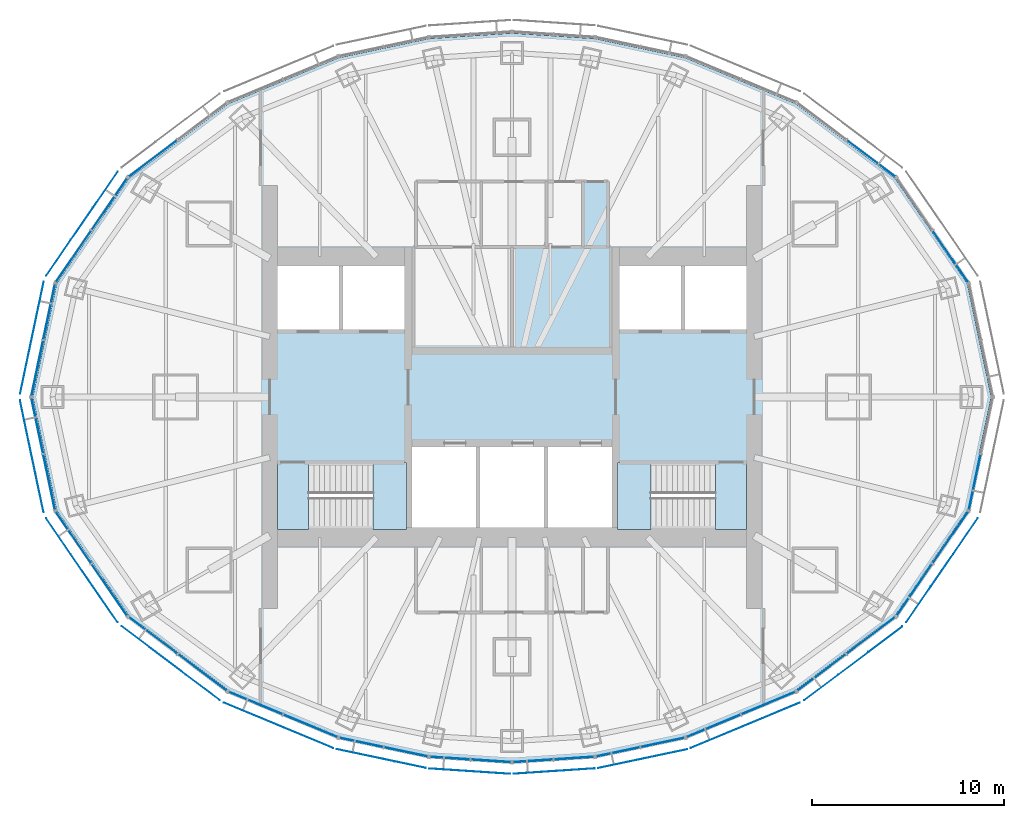
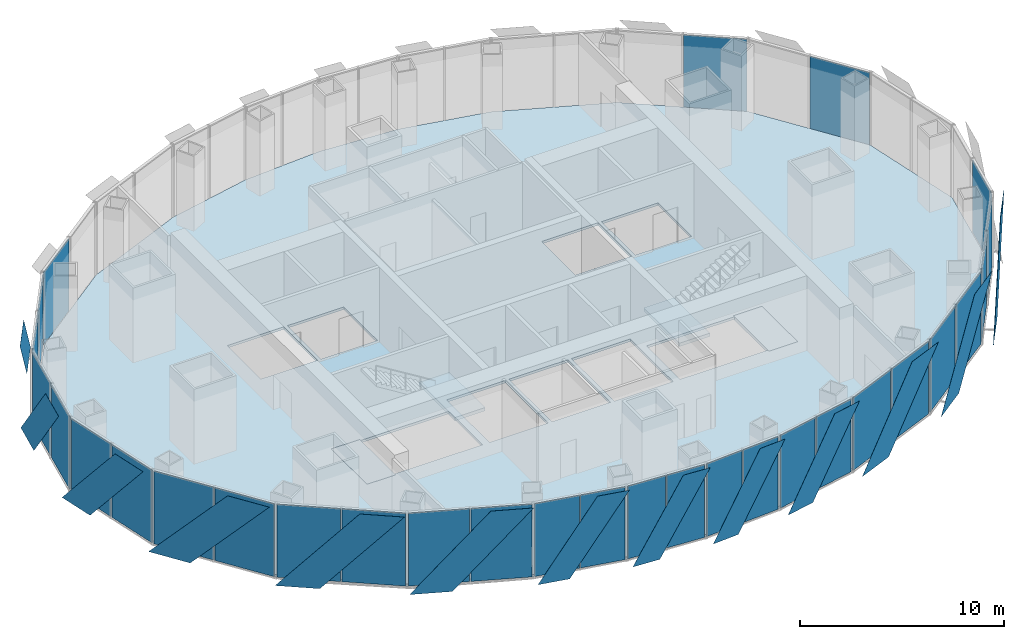
# One storey, part 9 of 15: 43 plates, 5 slabs, 19 elements without a shape of their own.
"""IFC4 building model written with IfcOpenShell, lengths in metres."""

from ifc_helpers import new_model, si_unit, direction, frame, origin, origin_2d, place, context, subcontext, project, spatial, polyline, rectangle, outline, extrude, material, layer, layer_set, type_object, element, aggregate, save


model = new_model("IFC4")

# Units and contexts
model_context = context("Model", 3, precision=1e-05, world=origin(), true_north=direction((0.0, 1.0)))
body_context = subcontext(model_context, "Body", "Model", "MODEL_VIEW")
ifc_project = project(units=[si_unit("LENGTHUNIT", "METRE"), si_unit("AREAUNIT", "SQUARE_METRE"), si_unit("VOLUMEUNIT", "CUBIC_METRE"), si_unit("PLANEANGLEUNIT", "RADIAN"), si_unit("MASSUNIT", "GRAM", prefix="KILO")], contexts=[model_context])

# Site, building, storey
site_placement = place(None, origin())
site = spatial("IfcSite", under=ifc_project, at=site_placement, CompositionType="ELEMENT")
building_placement = place(site_placement, origin())
building = spatial("IfcBuilding", under=site, at=building_placement, Name="Lantaw Convention Tower", CompositionType="ELEMENT")
storey_placement = place(building_placement, frame((0.0, 0.0, 274.89990234375)))
storey = spatial("IfcBuildingStorey", under=building, at=storey_placement, Name="L64", CompositionType="ELEMENT", Elevation=274.89990234375)

# Curtain wall, plate
ifc_material_1 = material(Name="Aluminium framed curtain wall", Category="aluminium")
curtain_wall_type = type_object("IfcCurtainWallType", Name="Executive floors curtain wall, pale aluminium", PredefinedType="USERDEFINED", material=ifc_material_1)
curtain_wall_1_placement = place(storey_placement, origin())
curtain_wall_1 = element("IfcCurtainWall", 1, at=curtain_wall_1_placement, inside=storey, type_object=curtain_wall_type, Name="Executive floors curtain wall, pale aluminium L64", ObjectType="UNITISED CURTAIN WALL", PredefinedType="USERDEFINED")
ifc_material_2 = material(Name="Clear insulating glass", Category="glass")
ifc_layer_1 = layer(ifc_material_2, 0.030029296875)
ifc_layer_set_1 = layer_set([ifc_layer_1], Name="CW-T panel 30")
plate_type_1 = type_object("IfcPlateType", Name="CW-T panel 30", PredefinedType="CURTAIN_PANEL", material=ifc_layer_set_1)
plate_1_placement = place(storey_placement, frame((22.80126953125, 7.31103515625, -0.080078125), z_axis=(0.0, 0.0, 1.0), x_axis=(-0.565934832921, 0.824449977189, 0.0)))
plate_1 = element("IfcPlate", 2, at=plate_1_placement, type_object=plate_type_1, Name="CW-T panel 1.1", PredefinedType="CURTAIN_PANEL", context=body_context, shape_type="SweptSolid", body=[
    extrude(rectangle(XDim=3.22802734375, YDim=0.030029296875, at=origin_2d()), origin(), (0.0, 0.0, 1.0), 4.360107421875),
])
aggregate(curtain_wall_1, [plate_1])

curtain_wall_2_placement = place(storey_placement, origin())
curtain_wall_2 = element("IfcCurtainWall", 3, at=curtain_wall_2_placement, inside=storey, type_object=curtain_wall_type, Name="Executive floors curtain wall, pale aluminium L64", ObjectType="UNITISED CURTAIN WALL", PredefinedType="USERDEFINED")
plate_2_placement = place(storey_placement, frame((18.67041015625, 12.403564453125, -0.080078125), z_axis=(0.0, 0.0, 1.0), x_axis=(-0.799517528732, 0.600642756762, 0.0)))
plate_2 = element("IfcPlate", 4, at=plate_2_placement, type_object=plate_type_1, Name="CW-T panel 1.1", PredefinedType="CURTAIN_PANEL", context=body_context, shape_type="SweptSolid", body=[
    extrude(rectangle(XDim=3.140869140625, YDim=0.030029296875, at=origin_2d()), origin(), (0.0, 0.0, 1.0), 4.360107421875),
])
aggregate(curtain_wall_2, [plate_2])

curtain_wall_3_placement = place(storey_placement, origin())
curtain_wall_3 = element("IfcCurtainWall", 5, at=curtain_wall_3_placement, inside=storey, type_object=curtain_wall_type, Name="Executive floors curtain wall, pale aluminium L64", ObjectType="UNITISED CURTAIN WALL", PredefinedType="USERDEFINED")
plate_3_placement = place(storey_placement, frame((-18.67041015625, 12.403564453125, -0.080078125), z_axis=(0.0, 0.0, 1.0), x_axis=(-0.799517528732, -0.600642756762, 0.0)))
plate_3 = element("IfcPlate", 6, at=plate_3_placement, type_object=plate_type_1, Name="CW-T panel 2.1", PredefinedType="CURTAIN_PANEL", context=body_context, shape_type="SweptSolid", body=[
    extrude(rectangle(XDim=3.140869140625, YDim=0.030029296875, at=origin_2d()), origin(), (0.0, 0.0, 1.0), 4.360107421875),
])
aggregate(curtain_wall_3, [plate_3])

# Curtain wall, plates
curtain_wall_4_placement = place(storey_placement, origin())
curtain_wall_4 = element("IfcCurtainWall", 7, at=curtain_wall_4_placement, inside=storey, type_object=curtain_wall_type, Name="Executive floors curtain wall, pale aluminium L64", ObjectType="UNITISED CURTAIN WALL", PredefinedType="USERDEFINED")
plate_4_placement = place(storey_placement, frame((-20.93505859375, 10.030029296875, -0.080078125), z_axis=(0.0, 0.0, 1.0), x_axis=(-0.565934832921, -0.824449977189, 0.0)))
plate_4 = element("IfcPlate", 8, at=plate_4_placement, type_object=plate_type_1, Name="CW-T panel 1.1", PredefinedType="CURTAIN_PANEL", context=body_context, shape_type="SweptSolid", body=[
    extrude(rectangle(XDim=3.22802734375, YDim=0.030029296875, at=origin_2d()), origin(), (0.0, 0.0, 1.0), 4.360107421875),
])
plate_5_placement = place(storey_placement, frame((-22.80126953125, 7.31103515625, -0.080078125), z_axis=(0.0, 0.0, 1.0), x_axis=(-0.565934832921, -0.824449977189, 0.0)))
plate_5 = element("IfcPlate", 9, at=plate_5_placement, type_object=plate_type_1, Name="CW-T panel 2.1", PredefinedType="CURTAIN_PANEL", context=body_context, shape_type="SweptSolid", body=[
    extrude(rectangle(XDim=3.22802734375, YDim=0.030029296875, at=origin_2d()), origin(), (0.0, 0.0, 1.0), 4.360107421875),
])
aggregate(curtain_wall_4, [plate_4, plate_5])

curtain_wall_5_placement = place(storey_placement, origin())
curtain_wall_5 = element("IfcCurtainWall", 10, at=curtain_wall_5_placement, inside=storey, type_object=curtain_wall_type, Name="Executive floors curtain wall, pale aluminium L64", ObjectType="UNITISED CURTAIN WALL", PredefinedType="USERDEFINED")
plate_6_placement = place(storey_placement, frame((-24.0693359375, 4.4248046875, -0.080078125), z_axis=(0.0, 0.0, 1.0), x_axis=(-0.205814054946, -0.978591117263, 0.0)))
plate_6 = element("IfcPlate", 11, at=plate_6_placement, type_object=plate_type_1, Name="CW-T panel 1.1", PredefinedType="CURTAIN_PANEL", context=body_context, shape_type="SweptSolid", body=[
    extrude(rectangle(XDim=2.921142578125, YDim=0.030029296875, at=origin_2d()), origin(), (0.0, 0.0, 1.0), 4.360107421875),
])
plate_7_placement = place(storey_placement, frame((-24.68505859375, 1.497802734375, -0.080078125), z_axis=(0.0, 0.0, 1.0), x_axis=(-0.205814054946, -0.978591117263, 0.0)))
plate_7 = element("IfcPlate", 12, at=plate_7_placement, type_object=plate_type_1, Name="CW-T panel 2.1", PredefinedType="CURTAIN_PANEL", context=body_context, shape_type="SweptSolid", body=[
    extrude(rectangle(XDim=2.921142578125, YDim=0.030029296875, at=origin_2d()), origin(), (0.0, 0.0, 1.0), 4.360107421875),
])
aggregate(curtain_wall_5, [plate_6, plate_7])

curtain_wall_6_placement = place(storey_placement, origin())
curtain_wall_6 = element("IfcCurtainWall", 13, at=curtain_wall_6_placement, inside=storey, type_object=curtain_wall_type, Name="Executive floors curtain wall, pale aluminium L64", ObjectType="UNITISED CURTAIN WALL", PredefinedType="USERDEFINED")
plate_8_placement = place(storey_placement, frame((-24.68505859375, -1.497802734375, -0.080078125), z_axis=(0.0, 0.0, 1.0), x_axis=(0.205814054946, -0.978591117263, 0.0)))
plate_8 = element("IfcPlate", 14, at=plate_8_placement, type_object=plate_type_1, Name="CW-T panel 1.1", PredefinedType="CURTAIN_PANEL", context=body_context, shape_type="SweptSolid", body=[
    extrude(rectangle(XDim=2.921142578125, YDim=0.030029296875, at=origin_2d()), origin(), (0.0, 0.0, 1.0), 4.360107421875),
])
plate_9_placement = place(storey_placement, frame((-24.0693359375, -4.4248046875, -0.080078125), z_axis=(0.0, 0.0, 1.0), x_axis=(0.205814054946, -0.978591117263, 0.0)))
plate_9 = element("IfcPlate", 15, at=plate_9_placement, type_object=plate_type_1, Name="CW-T panel 2.1", PredefinedType="CURTAIN_PANEL", context=body_context, shape_type="SweptSolid", body=[
    extrude(rectangle(XDim=2.921142578125, YDim=0.030029296875, at=origin_2d()), origin(), (0.0, 0.0, 1.0), 4.360107421875),
])
aggregate(curtain_wall_6, [plate_8, plate_9])

curtain_wall_7_placement = place(storey_placement, origin())
curtain_wall_7 = element("IfcCurtainWall", 16, at=curtain_wall_7_placement, inside=storey, type_object=curtain_wall_type, Name="Executive floors curtain wall, pale aluminium L64", ObjectType="UNITISED CURTAIN WALL", PredefinedType="USERDEFINED")
plate_10_placement = place(storey_placement, frame((-22.80126953125, -7.31103515625, -0.080078125), z_axis=(0.0, 0.0, 1.0), x_axis=(0.565934832921, -0.824449977189, 0.0)))
plate_10 = element("IfcPlate", 17, at=plate_10_placement, type_object=plate_type_1, Name="CW-T panel 1.1", PredefinedType="CURTAIN_PANEL", context=body_context, shape_type="SweptSolid", body=[
    extrude(rectangle(XDim=3.22802734375, YDim=0.030029296875, at=origin_2d()), origin(), (0.0, 0.0, 1.0), 4.360107421875),
])
plate_11_placement = place(storey_placement, frame((-20.93505859375, -10.030029296875, -0.080078125), z_axis=(0.0, 0.0, 1.0), x_axis=(0.565934832921, -0.824449977189, 0.0)))
plate_11 = element("IfcPlate", 18, at=plate_11_placement, type_object=plate_type_1, Name="CW-T panel 2.1", PredefinedType="CURTAIN_PANEL", context=body_context, shape_type="SweptSolid", body=[
    extrude(rectangle(XDim=3.22802734375, YDim=0.030029296875, at=origin_2d()), origin(), (0.0, 0.0, 1.0), 4.360107421875),
])
aggregate(curtain_wall_7, [plate_10, plate_11])

curtain_wall_8_placement = place(storey_placement, origin())
curtain_wall_8 = element("IfcCurtainWall", 19, at=curtain_wall_8_placement, inside=storey, type_object=curtain_wall_type, Name="Executive floors curtain wall, pale aluminium L64", ObjectType="UNITISED CURTAIN WALL", PredefinedType="USERDEFINED")
plate_12_placement = place(storey_placement, frame((-18.67041015625, -12.403564453125, -0.080078125), z_axis=(0.0, 0.0, 1.0), x_axis=(0.799517528732, -0.600642756762, 0.0)))
plate_12 = element("IfcPlate", 20, at=plate_12_placement, type_object=plate_type_1, Name="CW-T panel 1.1", PredefinedType="CURTAIN_PANEL", context=body_context, shape_type="SweptSolid", body=[
    extrude(rectangle(XDim=3.140869140625, YDim=0.030029296875, at=origin_2d()), origin(), (0.0, 0.0, 1.0), 4.360107421875),
])
plate_13_placement = place(storey_placement, frame((-16.103271484375, -14.33203125, -0.080078125), z_axis=(0.0, 0.0, 1.0), x_axis=(0.799517528732, -0.600642756762, 0.0)))
plate_13 = element("IfcPlate", 21, at=plate_13_placement, type_object=plate_type_1, Name="CW-T panel 2.1", PredefinedType="CURTAIN_PANEL", context=body_context, shape_type="SweptSolid", body=[
    extrude(rectangle(XDim=3.140869140625, YDim=0.030029296875, at=origin_2d()), origin(), (0.0, 0.0, 1.0), 4.360107421875),
])
aggregate(curtain_wall_8, [plate_12, plate_13])

curtain_wall_9_placement = place(storey_placement, origin())
curtain_wall_9 = element("IfcCurtainWall", 22, at=curtain_wall_9_placement, inside=storey, type_object=curtain_wall_type, Name="Executive floors curtain wall, pale aluminium L64", ObjectType="UNITISED CURTAIN WALL", PredefinedType="USERDEFINED")
plate_14_placement = place(storey_placement, frame((-13.334716796875, -15.92431640625, -0.080078125), z_axis=(0.0, 0.0, 1.0), x_axis=(0.923141777124, -0.384459697924, 0.0)))
plate_14 = element("IfcPlate", 23, at=plate_14_placement, type_object=plate_type_1, Name="CW-T panel 1.1", PredefinedType="CURTAIN_PANEL", context=body_context, shape_type="SweptSolid", body=[
    extrude(rectangle(XDim=3.01708984375, YDim=0.030029296875, at=origin_2d()), origin(), (0.0, 0.0, 1.0), 4.360107421875),
])
plate_15_placement = place(storey_placement, frame((-10.48486328125, -17.111083984375, -0.080078125), z_axis=(0.0, 0.0, 1.0), x_axis=(0.923141777124, -0.384459697924, 0.0)))
plate_15 = element("IfcPlate", 24, at=plate_15_placement, type_object=plate_type_1, Name="CW-T panel 2.1", PredefinedType="CURTAIN_PANEL", context=body_context, shape_type="SweptSolid", body=[
    extrude(rectangle(XDim=3.01708984375, YDim=0.030029296875, at=origin_2d()), origin(), (0.0, 0.0, 1.0), 4.360107421875),
])
aggregate(curtain_wall_9, [plate_14, plate_15])

curtain_wall_10_placement = place(storey_placement, origin())
curtain_wall_10 = element("IfcCurtainWall", 25, at=curtain_wall_10_placement, inside=storey, type_object=curtain_wall_type, Name="Executive floors curtain wall, pale aluminium L64", ObjectType="UNITISED CURTAIN WALL", PredefinedType="USERDEFINED")
plate_16_placement = place(storey_placement, frame((-7.833740234375, -17.970703125, -0.080078125), z_axis=(0.0, 0.0, 1.0), x_axis=(0.978332497083, -0.207039911975, 0.0)))
plate_16 = element("IfcPlate", 26, at=plate_16_placement, type_object=plate_type_1, Name="CW-T panel 1.1", PredefinedType="CURTAIN_PANEL", context=body_context, shape_type="SweptSolid", body=[
    extrude(rectangle(XDim=2.30078125, YDim=0.030029296875, at=origin_2d()), origin(), (0.0, 0.0, 1.0), 4.360107421875),
])
plate_17_placement = place(storey_placement, frame((-5.514404296875, -18.46142578125, -0.080078125), z_axis=(0.0, 0.0, 1.0), x_axis=(0.978332497083, -0.207039911975, 0.0)))
plate_17 = element("IfcPlate", 27, at=plate_17_placement, type_object=plate_type_1, Name="CW-T panel 2.1", PredefinedType="CURTAIN_PANEL", context=body_context, shape_type="SweptSolid", body=[
    extrude(rectangle(XDim=2.30078125, YDim=0.030029296875, at=origin_2d()), origin(), (0.0, 0.0, 1.0), 4.360107421875),
])
aggregate(curtain_wall_10, [plate_16, plate_17])

curtain_wall_11_placement = place(storey_placement, origin())
curtain_wall_11 = element("IfcCurtainWall", 28, at=curtain_wall_11_placement, inside=storey, type_object=curtain_wall_type, Name="Executive floors curtain wall, pale aluminium L64", ObjectType="UNITISED CURTAIN WALL", PredefinedType="USERDEFINED")
plate_18_placement = place(storey_placement, frame((-3.222900390625, -18.78662109375, -0.080078125), z_axis=(0.0, 0.0, 1.0), x_axis=(0.997817975525, -0.066024902273, 0.0)))
plate_18 = element("IfcPlate", 29, at=plate_18_placement, type_object=plate_type_1, Name="CW-T panel 1.1", PredefinedType="CURTAIN_PANEL", context=body_context, shape_type="SweptSolid", body=[
    extrude(rectangle(XDim=2.06005859375, YDim=0.030029296875, at=origin_2d()), origin(), (0.0, 0.0, 1.0), 4.360107421875),
])
plate_19_placement = place(storey_placement, frame((-1.09765625, -18.927490234375, -0.080078125), z_axis=(0.0, 0.0, 1.0), x_axis=(0.997817975525, -0.066024902273, 0.0)))
plate_19 = element("IfcPlate", 30, at=plate_19_placement, type_object=plate_type_1, Name="CW-T panel 2.1", PredefinedType="CURTAIN_PANEL", context=body_context, shape_type="SweptSolid", body=[
    extrude(rectangle(XDim=2.06005859375, YDim=0.030029296875, at=origin_2d()), origin(), (0.0, 0.0, 1.0), 4.360107421875),
])
aggregate(curtain_wall_11, [plate_18, plate_19])

curtain_wall_12_placement = place(storey_placement, origin())
curtain_wall_12 = element("IfcCurtainWall", 31, at=curtain_wall_12_placement, inside=storey, type_object=curtain_wall_type, Name="Executive floors curtain wall, pale aluminium L64", ObjectType="UNITISED CURTAIN WALL", PredefinedType="USERDEFINED")
plate_20_placement = place(storey_placement, frame((1.09765625, -18.927490234375, -0.080078125), z_axis=(0.0, 0.0, 1.0), x_axis=(0.997817975525, 0.066024902273, 0.0)))
plate_20 = element("IfcPlate", 32, at=plate_20_placement, type_object=plate_type_1, Name="CW-T panel 1.1", PredefinedType="CURTAIN_PANEL", context=body_context, shape_type="SweptSolid", body=[
    extrude(rectangle(XDim=2.06005859375, YDim=0.030029296875, at=origin_2d()), origin(), (0.0, 0.0, 1.0), 4.360107421875),
])
plate_21_placement = place(storey_placement, frame((3.222900390625, -18.78662109375, -0.080078125), z_axis=(0.0, 0.0, 1.0), x_axis=(0.997817975525, 0.066024902273, 0.0)))
plate_21 = element("IfcPlate", 33, at=plate_21_placement, type_object=plate_type_1, Name="CW-T panel 2.1", PredefinedType="CURTAIN_PANEL", context=body_context, shape_type="SweptSolid", body=[
    extrude(rectangle(XDim=2.06005859375, YDim=0.030029296875, at=origin_2d()), origin(), (0.0, 0.0, 1.0), 4.360107421875),
])
aggregate(curtain_wall_12, [plate_20, plate_21])

curtain_wall_13_placement = place(storey_placement, origin())
curtain_wall_13 = element("IfcCurtainWall", 34, at=curtain_wall_13_placement, inside=storey, type_object=curtain_wall_type, Name="Executive floors curtain wall, pale aluminium L64", ObjectType="UNITISED CURTAIN WALL", PredefinedType="USERDEFINED")
plate_22_placement = place(storey_placement, frame((5.514404296875, -18.46142578125, -0.080078125), z_axis=(0.0, 0.0, 1.0), x_axis=(0.978332497083, 0.207039911975, 0.0)))
plate_22 = element("IfcPlate", 35, at=plate_22_placement, type_object=plate_type_1, Name="CW-T panel 1.1", PredefinedType="CURTAIN_PANEL", context=body_context, shape_type="SweptSolid", body=[
    extrude(rectangle(XDim=2.30078125, YDim=0.030029296875, at=origin_2d()), origin(), (0.0, 0.0, 1.0), 4.360107421875),
])
plate_23_placement = place(storey_placement, frame((7.833740234375, -17.970703125, -0.080078125), z_axis=(0.0, 0.0, 1.0), x_axis=(0.978332497083, 0.207039911975, 0.0)))
plate_23 = element("IfcPlate", 36, at=plate_23_placement, type_object=plate_type_1, Name="CW-T panel 2.1", PredefinedType="CURTAIN_PANEL", context=body_context, shape_type="SweptSolid", body=[
    extrude(rectangle(XDim=2.30078125, YDim=0.030029296875, at=origin_2d()), origin(), (0.0, 0.0, 1.0), 4.360107421875),
])
aggregate(curtain_wall_13, [plate_22, plate_23])

curtain_wall_14_placement = place(storey_placement, origin())
curtain_wall_14 = element("IfcCurtainWall", 37, at=curtain_wall_14_placement, inside=storey, type_object=curtain_wall_type, Name="Executive floors curtain wall, pale aluminium L64", ObjectType="UNITISED CURTAIN WALL", PredefinedType="USERDEFINED")
plate_24_placement = place(storey_placement, frame((10.48486328125, -17.111083984375, -0.080078125), z_axis=(0.0, 0.0, 1.0), x_axis=(0.923141777124, 0.384459697924, 0.0)))
plate_24 = element("IfcPlate", 38, at=plate_24_placement, type_object=plate_type_1, Name="CW-T panel 1.1", PredefinedType="CURTAIN_PANEL", context=body_context, shape_type="SweptSolid", body=[
    extrude(rectangle(XDim=3.01708984375, YDim=0.030029296875, at=origin_2d()), origin(), (0.0, 0.0, 1.0), 4.360107421875),
])
plate_25_placement = place(storey_placement, frame((13.334716796875, -15.92431640625, -0.080078125), z_axis=(0.0, 0.0, 1.0), x_axis=(0.923141777124, 0.384459697924, 0.0)))
plate_25 = element("IfcPlate", 39, at=plate_25_placement, type_object=plate_type_1, Name="CW-T panel 2.1", PredefinedType="CURTAIN_PANEL", context=body_context, shape_type="SweptSolid", body=[
    extrude(rectangle(XDim=3.01708984375, YDim=0.030029296875, at=origin_2d()), origin(), (0.0, 0.0, 1.0), 4.360107421875),
])
aggregate(curtain_wall_14, [plate_24, plate_25])

curtain_wall_15_placement = place(storey_placement, origin())
curtain_wall_15 = element("IfcCurtainWall", 40, at=curtain_wall_15_placement, inside=storey, type_object=curtain_wall_type, Name="Executive floors curtain wall, pale aluminium L64", ObjectType="UNITISED CURTAIN WALL", PredefinedType="USERDEFINED")
plate_26_placement = place(storey_placement, frame((16.103271484375, -14.33203125, -0.080078125), z_axis=(0.0, 0.0, 1.0), x_axis=(0.799517528732, 0.600642756762, 0.0)))
plate_26 = element("IfcPlate", 41, at=plate_26_placement, type_object=plate_type_1, Name="CW-T panel 1.1", PredefinedType="CURTAIN_PANEL", context=body_context, shape_type="SweptSolid", body=[
    extrude(rectangle(XDim=3.140869140625, YDim=0.030029296875, at=origin_2d()), origin(), (0.0, 0.0, 1.0), 4.360107421875),
])
plate_27_placement = place(storey_placement, frame((18.67041015625, -12.403564453125, -0.080078125), z_axis=(0.0, 0.0, 1.0), x_axis=(0.799517528732, 0.600642756762, 0.0)))
plate_27 = element("IfcPlate", 42, at=plate_27_placement, type_object=plate_type_1, Name="CW-T panel 2.1", PredefinedType="CURTAIN_PANEL", context=body_context, shape_type="SweptSolid", body=[
    extrude(rectangle(XDim=3.140869140625, YDim=0.030029296875, at=origin_2d()), origin(), (0.0, 0.0, 1.0), 4.360107421875),
])
aggregate(curtain_wall_15, [plate_26, plate_27])

curtain_wall_16_placement = place(storey_placement, origin())
curtain_wall_16 = element("IfcCurtainWall", 43, at=curtain_wall_16_placement, inside=storey, type_object=curtain_wall_type, Name="Executive floors curtain wall, pale aluminium L64", ObjectType="UNITISED CURTAIN WALL", PredefinedType="USERDEFINED")
plate_28_placement = place(storey_placement, frame((20.93505859375, -10.030029296875, -0.080078125), z_axis=(0.0, 0.0, 1.0), x_axis=(0.565934832921, 0.824449977189, 0.0)))
plate_28 = element("IfcPlate", 44, at=plate_28_placement, type_object=plate_type_1, Name="CW-T panel 1.1", PredefinedType="CURTAIN_PANEL", context=body_context, shape_type="SweptSolid", body=[
    extrude(rectangle(XDim=3.22802734375, YDim=0.030029296875, at=origin_2d()), origin(), (0.0, 0.0, 1.0), 4.360107421875),
])
plate_29_placement = place(storey_placement, frame((22.80126953125, -7.31103515625, -0.080078125), z_axis=(0.0, 0.0, 1.0), x_axis=(0.565934832921, 0.824449977189, 0.0)))
plate_29 = element("IfcPlate", 45, at=plate_29_placement, type_object=plate_type_1, Name="CW-T panel 2.1", PredefinedType="CURTAIN_PANEL", context=body_context, shape_type="SweptSolid", body=[
    extrude(rectangle(XDim=3.22802734375, YDim=0.030029296875, at=origin_2d()), origin(), (0.0, 0.0, 1.0), 4.360107421875),
])
aggregate(curtain_wall_16, [plate_28, plate_29])

# Curtain wall, plate
curtain_wall_17_placement = place(storey_placement, origin())
curtain_wall_17 = element("IfcCurtainWall", 46, at=curtain_wall_17_placement, inside=storey, type_object=curtain_wall_type, Name="Executive floors curtain wall, pale aluminium L64", ObjectType="UNITISED CURTAIN WALL", PredefinedType="USERDEFINED")
plate_30_placement = place(storey_placement, frame((24.0693359375, -4.4248046875, -0.080078125), z_axis=(0.0, 0.0, 1.0), x_axis=(0.205814054946, 0.978591117263, 0.0)))
plate_30 = element("IfcPlate", 47, at=plate_30_placement, type_object=plate_type_1, Name="CW-T panel 1.1", PredefinedType="CURTAIN_PANEL", context=body_context, shape_type="SweptSolid", body=[
    extrude(rectangle(XDim=2.921142578125, YDim=0.030029296875, at=origin_2d()), origin(), (0.0, 0.0, 1.0), 4.360107421875),
])
aggregate(curtain_wall_17, [plate_30])

# Slab
ifc_material_3 = material(Name="Concrete C35/45", Category="concrete")
ifc_layer_2 = layer(ifc_material_3, 0.14990234375)
ifc_layer_set_2 = layer_set([ifc_layer_2], Name="Floor slab 150")
slab_type_1 = type_object("IfcSlabType", Name="Floor slab 150", PredefinedType="FLOOR", material=ifc_layer_set_2)
slab_1_placement = place(storey_placement, frame((0.0, 0.0, -0.14990234375)))
element("IfcSlab", 48, at=slab_1_placement, inside=storey, type_object=slab_type_1, Name="L64 floor slab", PredefinedType="FLOOR", context=body_context, shape_type="SweptSolid", body=[
    extrude(outline(polyline([(23.68408203125, -5.892578125), (24.92333984375, 0.0), (23.68408203125, 5.892578125), (19.927001953125, 11.36572265625), (14.75439453125, 15.251708984375), (9.00537109375, 17.64599609375), (4.310302734375, 18.6396484375), (0.0, 18.9248046875), (-4.310302734375, 18.6396484375), (-9.00537109375, 17.64599609375), (-14.75439453125, 15.251708984375), (-19.927001953125, 11.36572265625), (-23.68408203125, 5.892578125), (-24.92333984375, 0.0), (-23.68408203125, -5.892578125), (-19.927001953125, -11.36572265625), (-14.75439453125, -15.251708984375), (-9.00537109375, -17.64599609375), (-4.310302734375, -18.6396484375), (0.0, -18.9248046875), (4.310302734375, -18.6396484375), (9.00537109375, -17.64599609375), (14.75439453125, -15.251708984375), (19.927001953125, -11.36572265625), (23.68408203125, -5.892578125)]), holes=[polyline([(-5.60009765625, -3.5), (-12.199951171875, -3.5), (-12.199951171875, -6.800048828125), (-5.60009765625, -6.800048828125), (-5.60009765625, -3.5)]), polyline([(12.199951171875, -3.5), (5.60009765625, -3.5), (5.60009765625, -6.800048828125), (12.199951171875, -6.800048828125), (12.199951171875, -3.5)]), polyline([(-1.86669921875, -2.60009765625), (-5.199951171875, -2.60009765625), (-5.199951171875, -6.800048828125), (-1.86669921875, -6.800048828125), (-1.86669921875, -2.60009765625)]), polyline([(1.666748046875, -2.60009765625), (-1.666748046875, -2.60009765625), (-1.666748046875, -6.800048828125), (1.666748046875, -6.800048828125), (1.666748046875, -2.60009765625)]), polyline([(5.199951171875, -2.60009765625), (1.86669921875, -2.60009765625), (1.86669921875, -6.800048828125), (5.199951171875, -6.800048828125), (5.199951171875, -2.60009765625)]), polyline([(-9.0, 6.800048828125), (-12.199951171875, 6.800048828125), (-12.199951171875, 3.5), (-9.0, 3.5), (-9.0, 6.800048828125)]), polyline([(-5.60009765625, 6.800048828125), (-8.800048828125, 6.800048828125), (-8.800048828125, 3.5), (-5.60009765625, 3.5), (-5.60009765625, 6.800048828125)]), polyline([(8.800048828125, 3.5), (8.800048828125, 6.800048828125), (5.60009765625, 6.800048828125), (5.60009765625, 3.5), (8.800048828125, 3.5)]), polyline([(12.199951171875, 3.5), (12.199951171875, 6.800048828125), (9.0, 6.800048828125), (9.0, 3.5), (12.199951171875, 3.5)])]), origin(), (0.0, 0.0, 1.0), 0.14990234375),
])

# Plates
ifc_material_4 = material(Name="Perforated aluminium sheet, pale silver finish", Category="aluminium")
ifc_layer_3 = layer(ifc_material_4, 0.006103515625)
ifc_layer_set_3 = layer_set([ifc_layer_3], Name="Perforated aluminium solar SCREEN panel")
plate_type_2 = type_object("IfcPlateType", Name="Perforated aluminium solar SCREEN panel", PredefinedType="SHEET", material=ifc_layer_set_3)
plate_31_placement = place(storey_placement, frame((-20.509765625, 11.719970703125, -0.1748046875), z_axis=(-0.824440912544, 0.5659480379, 1.1008019e-05), x_axis=(-0.565948037934, -0.824440912594, -4.89e-10)))
element("IfcPlate", 49, at=plate_31_placement, inside=storey, type_object=plate_type_2, Name="Solar SCREEN panel", PredefinedType="SHEET", context=body_context, shape_type="SweptSolid", body=[
    extrude(outline(polyline([(0.0, 0.0), (2.266342113131426, 1.6940658945086007e-21), (6.565730723168267, 4.639892581615616), (4.299526780944539, 4.639892579399994), (0.0, 0.0)])), origin(), (0.0, 0.0, -1.0), 0.006103515625),
])
plate_32_placement = place(storey_placement, frame((-24.357666015625, 5.99853515625, -0.1748046875), z_axis=(-0.978586273284, 0.205837083609, 2.7416916e-05), x_axis=(-0.205837083686, -0.978586273652, 3.35e-10)))
element("IfcPlate", 50, at=plate_32_placement, inside=storey, type_object=plate_type_2, Name="Solar SCREEN panel", PredefinedType="SHEET", context=body_context, shape_type="SweptSolid", body=[
    extrude(outline(polyline([(0.0, 0.0), (2.05797986121792, 0.0), (5.952387791834848, 4.639892577876355), (3.8946468432813948, 4.639892579254063), (0.0, 0.0)])), origin(), (0.0, 0.0, -1.0), 0.006103515625),
])
plate_33_placement = place(storey_placement, frame((-25.582763671875, -0.173583984375, -0.1748046875), z_axis=(0.978586273284, 0.205837083609, 2.7416916e-05), x_axis=(0.205837083686, -0.978586273652, -3.35e-10)))
element("IfcPlate", 51, at=plate_33_placement, inside=storey, type_object=plate_type_2, Name="Solar SCREEN panel", PredefinedType="SHEET", context=body_context, shape_type="SweptSolid", body=[
    extrude(outline(polyline([(0.0, 0.0), (2.0577409485534544, 0.0), (5.952387788728329, -4.6398925818616235), (3.8944079275104078, -4.639892580483756), (0.0, 0.0)])), origin(), (0.0, 0.0, -1.0), 0.006103515625),
])
plate_34_placement = place(storey_placement, frame((-24.2255859375, -6.306884765625, -0.1748046875), z_axis=(0.824440912544, 0.5659480379, 1.1008019e-05), x_axis=(0.565948037934, -0.824440912594, 4.89e-10)))
element("IfcPlate", 52, at=plate_34_placement, inside=storey, type_object=plate_type_2, Name="Solar SCREEN panel", PredefinedType="SHEET", context=body_context, shape_type="SweptSolid", body=[
    extrude(outline(polyline([(0.0, 0.0), (2.2662039422237275, 0.0), (6.5657307277045955, -4.639892575196436), (4.29938861457317, -4.639892577412192), (0.0, 0.0)])), origin(), (0.0, 0.0, -1.0), 0.006103515625),
])
plate_35_placement = place(storey_placement, frame((-20.305908203125, -11.932861328125, -0.1748046875), z_axis=(-0.600672301748, -0.799495331375, 3.198432e-05), x_axis=(0.799495331784, -0.600672302055, 1.414e-09)))
element("IfcPlate", 53, at=plate_35_placement, inside=storey, type_object=plate_type_2, Name="Solar SCREEN panel", PredefinedType="SHEET", context=body_context, shape_type="SweptSolid", body=[
    extrude(outline(polyline([(0.0, 0.0), (2.2071296040750283, 0.0), (6.391554874574737, 4.6398925714588515), (4.184278621988465, 4.639892577702056), (0.0, 0.0)])), origin(), (0.0, 0.0, -1.0), 0.006103515625),
])
plate_36_placement = place(storey_placement, frame((-14.978759765625, -15.89599609375, -0.1748046875), z_axis=(0.38443981788, 0.923150056246, 8.994749e-06), x_axis=(0.923150056284, -0.384439817896, -1.99e-10)))
element("IfcPlate", 54, at=plate_36_placement, inside=storey, type_object=plate_type_2, Name="Solar SCREEN panel", PredefinedType="SHEET", context=body_context, shape_type="SweptSolid", body=[
    extrude(outline(polyline([(0.0, 0.0), (2.123103262468179, 0.0), (6.1440618510600045, -4.639892579534249), (4.021183967023536, -4.63989257869007), (0.0, 0.0)])), origin(), (0.0, 0.0, -1.0), 0.006103515625),
])
plate_37_placement = place(storey_placement, frame((-9.104248046875, -18.321044921875, -0.1748046875), z_axis=(-0.207067097355, -0.978326743573, 1.743264e-06), x_axis=(0.978326743574, -0.207067097355, -1.54e-10)))
element("IfcPlate", 55, at=plate_37_placement, inside=storey, type_object=plate_type_2, Name="Solar SCREEN panel", PredefinedType="SHEET", context=body_context, shape_type="SweptSolid", body=[
    extrude(outline(polyline([(0.0, 0.0), (1.6358254236472698, 0.0), (4.711486581246437, 4.639892578858586), (3.075472861787101, 4.6398925783540514), (0.0, 0.0)])), origin(), (0.0, 0.0, -1.0), 0.006103515625),
])
plate_38_placement = place(storey_placement, frame((-4.310546875, -19.322021484375, -0.1748046875), z_axis=(0.066001689438, 0.997819510926, 2.4641594e-05), x_axis=(0.997819511229, -0.066001689458, 0.0)))
element("IfcPlate", 56, at=plate_38_placement, inside=storey, type_object=plate_type_2, Name="Solar SCREEN panel", PredefinedType="SHEET", context=body_context, shape_type="SweptSolid", body=[
    extrude(outline(polyline([(0.0, 0.0), (1.4722042654949696, 0.0), (4.229933994839303, -4.639892579533692), (2.7577297293443337, -4.639892579533692), (0.0, 0.0)])), origin(), (0.0, 0.0, -1.0), 0.006103515625),
])
plate_39_placement = place(storey_placement, frame((0.08984375, -19.601318359375, -0.1748046875), z_axis=(0.066001689438, -0.997819510926, 2.4641594e-05), x_axis=(0.997819511229, 0.066001689458, 0.0)))
element("IfcPlate", 57, at=plate_39_placement, inside=storey, type_object=plate_type_2, Name="Solar SCREEN panel", PredefinedType="SHEET", context=body_context, shape_type="SweptSolid", body=[
    extrude(outline(polyline([(0.0, 0.0), (1.4722042654949696, 0.0), (4.229933994839303, 4.639892579533692), (2.7577297293443337, 4.639892579533692), (0.0, 0.0)])), origin(), (0.0, 0.0, -1.0), 0.006103515625),
])
plate_40_placement = place(storey_placement, frame((4.494873046875, -19.296630859375, -0.1748046875), z_axis=(-0.207067097355, 0.978326743573, 1.743264e-06), x_axis=(0.978326743574, 0.207067097355, 1.54e-10)))
element("IfcPlate", 58, at=plate_40_placement, inside=storey, type_object=plate_type_2, Name="Solar SCREEN panel", PredefinedType="SHEET", context=body_context, shape_type="SweptSolid", body=[
    extrude(outline(polyline([(0.0, 0.0), (1.6360137194593352, 0.0), (4.711486582677345, -4.639892577405598), (3.0756611590300755, -4.639892577910074), (0.0, 0.0)])), origin(), (0.0, 0.0, -1.0), 0.006103515625),
])
plate_41_placement = place(storey_placement, frame((9.306884765625, -18.258056640625, -0.1748046875), z_axis=(0.38443981788, -0.923150056246, 8.994749e-06), x_axis=(0.923150056284, 0.384439817896, 1.99e-10)))
element("IfcPlate", 59, at=plate_41_placement, inside=storey, type_object=plate_type_2, Name="Solar SCREEN panel", PredefinedType="SHEET", context=body_context, shape_type="SweptSolid", body=[
    extrude(outline(polyline([(0.0, 0.0), (2.1228778840364693, 8.470329472543003e-22), (6.144061852905094, 4.639892577091015), (4.020958590436915, 4.639892577935282), (0.0, 0.0)])), origin(), (0.0, 0.0, -1.0), 0.006103515625),
])
plate_42_placement = place(storey_placement, frame((15.19580078125, -15.77197265625, -0.1748046875), z_axis=(-0.600672301748, 0.799495331375, 3.198432e-05), x_axis=(0.799495331784, 0.600672302055, -1.414e-09)))
element("IfcPlate", 60, at=plate_42_placement, inside=storey, type_object=plate_type_2, Name="Solar SCREEN panel", PredefinedType="SHEET", context=body_context, shape_type="SweptSolid", body=[
    extrude(outline(polyline([(0.0, 0.0), (2.207276252586272, 0.0), (6.391554861450962, -4.639892589537142), (4.184425257375934, -4.639892583294353), (0.0, 0.0)])), origin(), (0.0, 0.0, -1.0), 0.006103515625),
])
plate_43_placement = place(storey_placement, frame((20.509765625, -11.719970703125, -0.1748046875), z_axis=(0.824440912544, -0.5659480379, 1.1008019e-05), x_axis=(0.565948037934, 0.824440912594, -4.89e-10)))
element("IfcPlate", 61, at=plate_43_placement, inside=storey, type_object=plate_type_2, Name="Solar SCREEN panel", PredefinedType="SHEET", context=body_context, shape_type="SweptSolid", body=[
    extrude(outline(polyline([(0.0, 0.0), (2.266342113131426, 1.6940658945086007e-21), (6.565730723168267, 4.639892581615616), (4.299526780944539, 4.639892579399994), (0.0, 0.0)])), origin(), (0.0, 0.0, -1.0), 0.006103515625),
])

# Stair, slabs
stair_type = type_object("IfcStairType", Name="Exit stair 1500 riser 173.08 in 2 flights", PredefinedType="HALF_TURN_STAIR", material=ifc_material_3)
stair_1_placement = place(storey_placement, origin())
stair_1 = element("IfcStair", 62, at=stair_1_placement, inside=storey, type_object=stair_type, Name="Exit stair S1 L64", PredefinedType="HALF_TURN_STAIR")
ifc_layer_4 = layer(ifc_material_3, 0.199951171875)
ifc_layer_set_4 = layer_set([ifc_layer_4], Name="Stair landing 200")
slab_type_2 = type_object("IfcSlabType", Name="Stair landing 200", PredefinedType="LANDING", material=ifc_layer_set_4)
slab_2_placement = place(storey_placement, frame((0.0, 0.0, -0.199951171875)))
slab_2 = element("IfcSlab", 63, at=slab_2_placement, type_object=slab_type_2, Name="S1 landing 1", PredefinedType="LANDING", context=body_context, shape_type="SweptSolid", body=[
    extrude(outline(polyline([(-12.199951171875, -6.89990234375), (-10.580078125, -6.89990234375), (-10.580078125, -3.39990234375), (-12.199951171875, -3.39990234375), (-12.199951171875, -6.89990234375)])), origin(), (0.0, 0.0, 1.0), 0.199951171875),
])
slab_3_placement = place(storey_placement, frame((0.0, 0.0, 2.050048828125)))
slab_3 = element("IfcSlab", 64, at=slab_3_placement, type_object=slab_type_2, Name="S1 landing 2", PredefinedType="LANDING", context=body_context, shape_type="SweptSolid", body=[
    extrude(outline(polyline([(-7.219970703125, -6.89990234375), (-5.5, -6.89990234375), (-5.5, -3.39990234375), (-7.219970703125, -3.39990234375), (-7.219970703125, -6.89990234375)])), origin(), (0.0, 0.0, 1.0), 0.199951171875),
])
aggregate(stair_1, [slab_2, slab_3])

stair_2_placement = place(storey_placement, origin())
stair_2 = element("IfcStair", 65, at=stair_2_placement, inside=storey, type_object=stair_type, Name="Exit stair S2 L64", PredefinedType="HALF_TURN_STAIR")
slab_4_placement = place(storey_placement, frame((0.0, 0.0, -0.199951171875)))
slab_4 = element("IfcSlab", 66, at=slab_4_placement, type_object=slab_type_2, Name="S2 landing 1", PredefinedType="LANDING", context=body_context, shape_type="SweptSolid", body=[
    extrude(outline(polyline([(10.580078125, -6.89990234375), (12.199951171875, -6.89990234375), (12.199951171875, -3.39990234375), (10.580078125, -3.39990234375), (10.580078125, -6.89990234375)])), origin(), (0.0, 0.0, 1.0), 0.199951171875),
])
slab_5_placement = place(storey_placement, frame((0.0, 0.0, 2.050048828125)))
slab_5 = element("IfcSlab", 67, at=slab_5_placement, type_object=slab_type_2, Name="S2 landing 2", PredefinedType="LANDING", context=body_context, shape_type="SweptSolid", body=[
    extrude(outline(polyline([(5.5, -6.89990234375), (7.219970703125, -6.89990234375), (7.219970703125, -3.39990234375), (5.5, -3.39990234375), (5.5, -6.89990234375)])), origin(), (0.0, 0.0, 1.0), 0.199951171875),
])
aggregate(stair_2, [slab_4, slab_5])

save(model, "model.ifc")
